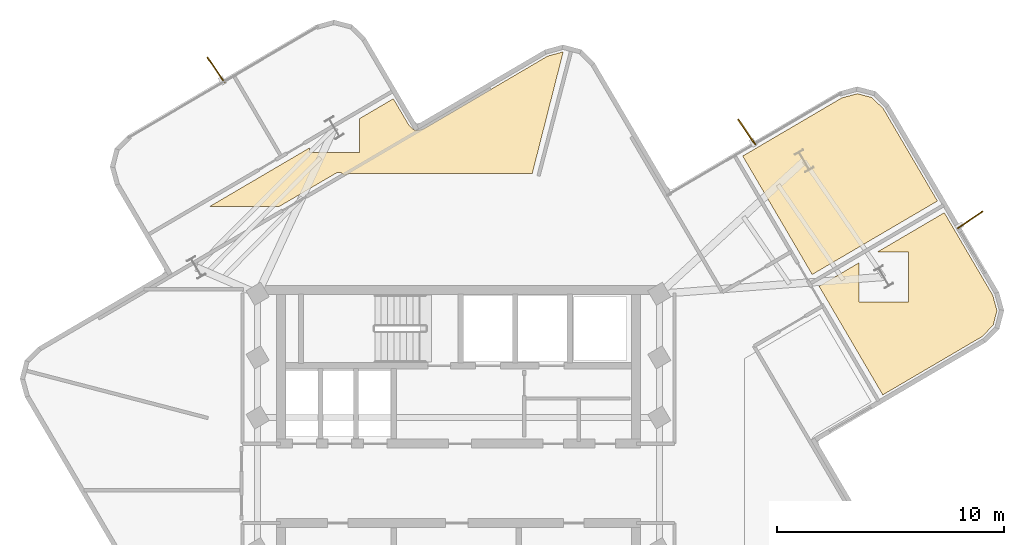
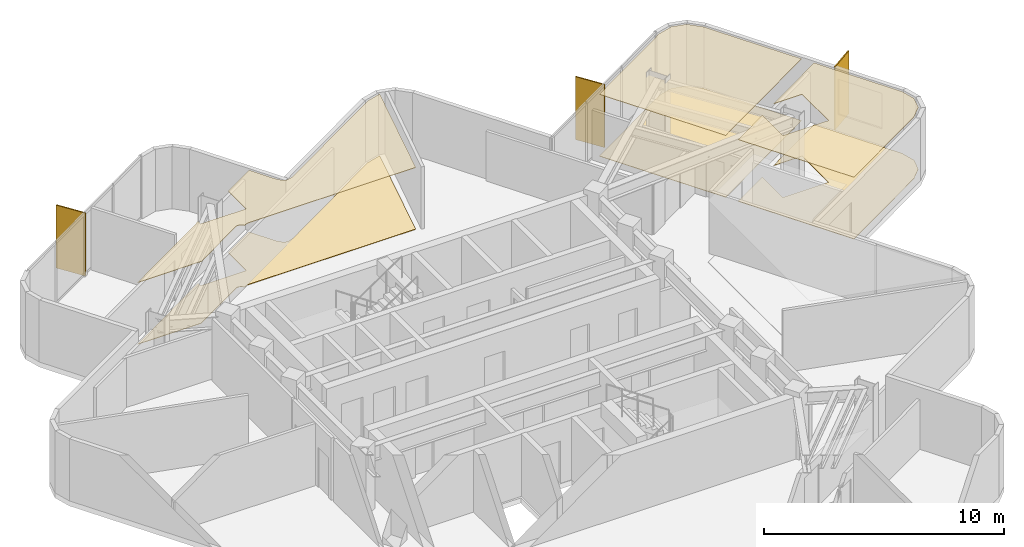
# One storey, part 8 of 8: 6 coverings, 3 shading devices.
"""IFC4 building model written with IfcOpenShell, lengths in metres."""

import ifcopenshell
import ifcopenshell.guid

model = None  # the IFC model being written
_history = None  # IfcOwnerHistory: only IFC2X3 demands one
_inside = {}  # id of a spatial element -> (the spatial element, [elements in it])
_under = {}  # id of a project, library or spatial element -> (it, [spatial elements below it])
_declared = {}  # id of a project -> (the project, [libraries it declares])
_typed = {}  # id of a type object -> (the type object, [elements of that type])
_made_of = {}  # id of a material, layer set ... -> (it, [elements and type objects made of it])


def new_model(schema):
    """Start an empty IFC model of exactly this schema.

    Asked for "IFC4X3", IfcOpenShell would pick the latest addendum, in which some entities
    have other attributes; the version numbers below select the first issue.
    IFC2X3 requires an IfcOwnerHistory on every rooted entity: one is made here for all.
    """
    global model, _history
    if schema == "IFC4X3":
        model = ifcopenshell.file(schema_version=(4, 3, 0, 0))
    else:
        model = ifcopenshell.file(schema=schema)
    _inside.clear()
    _under.clear()
    _declared.clear()
    _typed.clear()
    _made_of.clear()
    _history = None
    if model.schema == "IFC2X3":
        org = make("IfcOrganization", Name="unknown")
        user = make(
            "IfcPersonAndOrganization",
            ThePerson=make("IfcPerson", FamilyName="unknown"),
            TheOrganization=org,
        )
        app = make(
            "IfcApplication",
            ApplicationDeveloper=org,
            Version="unknown",
            ApplicationFullName="unknown",
            ApplicationIdentifier="unknown",
        )
        _history = make(
            "IfcOwnerHistory",
            OwningUser=user,
            OwningApplication=app,
            ChangeAction="ADDED",
            CreationDate=0,
        )
    return model


def make(cls, **values):
    """One entity of the class cls with the attributes given. An attribute that is None is left unset."""
    return model.create_entity(
        cls, **{name: value for name, value in values.items() if value is not None}
    )


def rooted(cls, **values):
    """An entity with a GlobalId (a new one), such as an element, a storey or a relation."""
    return make(cls, GlobalId=ifcopenshell.guid.new(), OwnerHistory=_history, **values)


def si_unit(unit_type, name, prefix=None):
    """IfcSIUnit, for example si_unit("LENGTHUNIT", "METRE", prefix="MILLI")."""
    return make("IfcSIUnit", UnitType=unit_type, Prefix=prefix, Name=name)


def assignment(units):
    """IfcUnitAssignment: the units of a project."""
    return None if units is None else make("IfcUnitAssignment", Units=units)


def point(xyz):
    """IfcCartesianPoint."""
    return None if xyz is None else make("IfcCartesianPoint", Coordinates=xyz)


def direction(xyz):
    """IfcDirection."""
    return None if xyz is None else make("IfcDirection", DirectionRatios=xyz)


def frame(location, z_axis=None, x_axis=None):
    """IfcAxis2Placement3D, a coordinate frame: its origin and axes. An axis left out is left unset."""
    return make(
        "IfcAxis2Placement3D",
        Location=point(location),
        Axis=direction(z_axis),
        RefDirection=direction(x_axis),
    )


def frame_2d(location, x_axis=None):
    """IfcAxis2Placement2D, a coordinate frame in the plane: its origin and x axis."""
    return make(
        "IfcAxis2Placement2D", Location=point(location), RefDirection=direction(x_axis)
    )


def origin():
    """The frame at (0, 0, 0) with its axes left unset."""
    return frame((0.0, 0.0, 0.0))


def origin_2d():
    """The frame at (0, 0) in the plane with its x axis left unset."""
    return frame_2d((0.0, 0.0))


def place(relative_to, where):
    """IfcLocalPlacement: puts the frame where relative to a parent placement (None: the world)."""
    return make(
        "IfcLocalPlacement", PlacementRelTo=relative_to, RelativePlacement=where
    )


def context(
    kind, dimensions, precision=None, world=None, true_north=None, identifier=None
):
    """IfcGeometricRepresentationContext, for example the 3D "Model" context."""
    return make(
        "IfcGeometricRepresentationContext",
        ContextIdentifier=identifier,
        ContextType=kind,
        CoordinateSpaceDimension=dimensions,
        Precision=precision,
        WorldCoordinateSystem=world,
        TrueNorth=true_north,
    )


def subcontext(parent, identifier, kind, view, scale=None):
    """IfcGeometricRepresentationSubContext, for example "Body" below "Model"."""
    return make(
        "IfcGeometricRepresentationSubContext",
        ContextIdentifier=identifier,
        ContextType=kind,
        ParentContext=parent,
        TargetScale=scale,
        TargetView=view,
    )


def project(units=None, contexts=None):
    """IfcProject with its units and contexts."""
    return rooted(
        "IfcProject",
        Name="project",
        RepresentationContexts=contexts,
        UnitsInContext=assignment(units),
    )


def spatial(cls, under=None, at=None, **own):
    """A site, building, storey or space (cls), placed at a placement, below another one or the project."""
    s = rooted(cls, ObjectPlacement=at, **own)
    if under is not None:
        _under.setdefault(under.id(), (under, []))[1].append(s)
    return s


def polyline(points):
    """IfcPolyline through the points."""
    return make("IfcPolyline", Points=[point(p) for p in points])


def profile(cls, at=None, kind="AREA", **sizes):
    """A parametric profile (cls). Its sizes go by their IFC names, for example OverallWidth=200.0."""
    return make(cls, ProfileType=kind, Position=at, **sizes)


def rectangle(**sizes):
    """IfcRectangleProfileDef."""
    return profile("IfcRectangleProfileDef", **sizes)


def outline(outer, holes=None, kind="AREA"):
    """IfcArbitraryClosedProfileDef: a profile drawn as a closed curve; with holes, ...WithVoids."""
    if holes is None:
        return make("IfcArbitraryClosedProfileDef", ProfileType=kind, OuterCurve=outer)
    return make(
        "IfcArbitraryProfileDefWithVoids",
        ProfileType=kind,
        OuterCurve=outer,
        InnerCurves=holes,
    )


def extrude(swept, where, along, depth):
    """IfcExtrudedAreaSolid: the profile swept, set in the frame where, extruded along a direction by depth."""
    return make(
        "IfcExtrudedAreaSolid",
        SweptArea=swept,
        Position=where,
        ExtrudedDirection=direction(along),
        Depth=depth,
    )


def shape(context_of_items, identifier, shape_type, items):
    """IfcShapeRepresentation: the items that make up one representation, for example the "Body"."""
    return make(
        "IfcShapeRepresentation",
        ContextOfItems=context_of_items,
        RepresentationIdentifier=identifier,
        RepresentationType=shape_type,
        Items=items,
    )


def material(Name=None, Category=None):
    """IfcMaterial."""
    return make("IfcMaterial", Name=Name, Category=Category)


def layer(
    of_material, thickness, ventilated=None, Name=None, Category=None, Priority=None
):
    """IfcMaterialLayer: one layer of a wall or slab, of a material (None: an air gap)."""
    return make(
        "IfcMaterialLayer",
        Material=of_material,
        LayerThickness=thickness,
        IsVentilated=ventilated,
        Name=Name,
        Category=Category,
        Priority=Priority,
    )


def layer_set(layers, Name=None):
    """IfcMaterialLayerSet."""
    return make("IfcMaterialLayerSet", MaterialLayers=layers, LayerSetName=Name)


def made_of(thing, what):
    """Note that an element or type object is made of a material, layer set ...; save() writes the relation."""
    if what is not None:
        _made_of.setdefault(what.id(), (what, []))[1].append(thing)
    return thing


def type_object(cls, material=None, **own):
    """A type object (cls), such as IfcWallType, which elements share."""
    return made_of(rooted(cls, **own), material)


def element(
    cls,
    number,
    at=None,
    inside=None,
    cuts=None,
    type_object=None,
    material=None,
    context=None,
    identifier="Body",
    shape_type=None,
    held_by="IfcProductDefinitionShape",
    body=None,
    shapes=None,
    **own,
):
    """One element of the class cls, such as IfcWall. Its Tag is "e" and its number.

    at: its placement. inside: the storey or other place that contains it. cuts: it is an
    opening in that element (IfcRelVoidsElement). A single representation is given by context,
    identifier, shape_type and body (its items); several are given by shapes. held_by: the class
    of the entity that holds the representations. save() writes the other relations.
    """
    e = rooted(cls, Tag="e%d" % number, ObjectPlacement=at, **own)
    if body is not None:
        shapes = [shape(context, identifier, shape_type, body)]
    if shapes is not None:
        e.Representation = make(held_by, Representations=shapes)
    if inside is not None:
        _inside.setdefault(inside.id(), (inside, []))[1].append(e)
    if cuts is not None:
        rooted(
            "IfcRelVoidsElement", RelatingBuildingElement=cuts, RelatedOpeningElement=e
        )
    if type_object is not None:
        _typed.setdefault(type_object.id(), (type_object, []))[1].append(e)
    return made_of(e, material)


def aggregate(whole, parts):
    """IfcRelAggregates: a whole, such as a stair, and the parts it consists of."""
    return rooted("IfcRelAggregates", RelatingObject=whole, RelatedObjects=parts)


def save(model, path):
    """Write the relations noted so far, then the file.

    IfcRelAggregates (storeys below a building ...), IfcRelContainedInSpatialStructure (elements
    in a storey), IfcRelDefinesByType, IfcRelAssociatesMaterial and IfcRelDeclares: one each for
    every whole, place, type object, material and project.
    """
    for whole, parts in _under.values():
        aggregate(whole, parts)
    for where, things in _inside.values():
        rooted(
            "IfcRelContainedInSpatialStructure",
            RelatedElements=things,
            RelatingStructure=where,
        )
    for kind, things in _typed.values():
        rooted("IfcRelDefinesByType", RelatedObjects=things, RelatingType=kind)
    for what, things in _made_of.values():
        rooted("IfcRelAssociatesMaterial", RelatedObjects=things, RelatingMaterial=what)
    for by, libraries in _declared.values():
        rooted("IfcRelDeclares", RelatingContext=by, RelatedDefinitions=libraries)
    model.write(path)


model = new_model("IFC4")

# Units and contexts
model_context = context("Model", 3, precision=1e-05, world=origin(), true_north=direction((0.0, 1.0)))
body_context = subcontext(model_context, "Body", "Model", "MODEL_VIEW")
ifc_project = project(units=[si_unit("LENGTHUNIT", "METRE"), si_unit("AREAUNIT", "SQUARE_METRE"), si_unit("VOLUMEUNIT", "CUBIC_METRE"), si_unit("PLANEANGLEUNIT", "RADIAN"), si_unit("MASSUNIT", "GRAM", prefix="KILO")], contexts=[model_context])

# Site, building, storey
site_placement = place(None, origin())
site = spatial("IfcSite", under=ifc_project, at=site_placement, CompositionType="ELEMENT")
building_placement = place(site_placement, origin())
building = spatial("IfcBuilding", under=site, at=building_placement, Name="Solmarez Civic Tower", CompositionType="ELEMENT")
storey_placement = place(building_placement, frame((0.0, 0.0, 212.0400390625)))
storey = spatial("IfcBuildingStorey", under=building, at=storey_placement, Name="L56", CompositionType="ELEMENT", Elevation=212.0400390625)

# Coverings
ifc_material_1 = material(Name="Perforated Mineral-Fibre Acoustic Ceiling")
ifc_layer_1 = layer(ifc_material_1, 0.02490234375)
ifc_layer_set_1 = layer_set([ifc_layer_1], Name="Perforated Mineral-Fibre Acoustic Ceiling")
covering_type_1 = type_object("IfcCoveringType", Name="COV-CEIL-ACOUSTIC", PredefinedType="CEILING", material=ifc_layer_set_1)
covering_1_placement = place(storey_placement, frame((0.0, 0.0, 3.135009765625)))
element("IfcCovering", 1, at=covering_1_placement, inside=storey, type_object=covering_type_1, Name="L56 Suspended Acoustic Ceiling 1", PredefinedType="CEILING", context=body_context, shape_type="SweptSolid", body=[
    extrude(outline(polyline([(-10.9619140625, 12.199951171875), (-7.89794921875, 12.199951171875), (-5.402099609375, 13.6640625), (-5.3798828125, 13.675048828125), (-5.37109375, 13.678955078125), (-5.34912109375, 13.68798828125), (-5.324951171875, 13.694091796875), (-5.320068359375, 13.695068359375), (-5.299072265625, 13.697998046875), (-5.277099609375, 13.698974609375), (-5.26708984375, 13.698974609375), (-5.2451171875, 13.697998046875), (-5.22412109375, 13.695068359375), (-5.218994140625, 13.694091796875), (-5.214111328125, 13.693115234375), (-5.205078125, 13.69091796875), (-5.18798828125, 13.68603515625), (-5.1708984375, 13.679931640625), (-5.166015625, 13.677978515625), (-5.14794921875, 13.669921875), (-5.131103515625, 13.660888671875), (-5.123046875, 13.656005859375), (-5.10302734375, 13.64111328125), (-5.083984375, 13.625), (-5.076904296875, 13.617919921875), (-5.056884765625, 13.593994140625), (-5.051025390625, 13.5859375), (-5.0390625, 13.568115234375), (-4.85107421875, 13.635986328125), (-4.844970703125, 13.637939453125), (-4.818115234375, 13.64501953125), (-4.81298828125, 13.64599609375), (-4.7919921875, 13.64892578125), (-4.77001953125, 13.64990234375), (3.2490234375, 13.64990234375), (4.614013671875, 19.010986328125), (4.60791015625, 19.011962890625), (3.924072265625, 18.823974609375), (-1.510009765625, 15.635986328125), (-1.52294921875, 15.62890625), (-1.534912109375, 15.623046875), (-1.552978515625, 15.614990234375), (-1.572998046875, 15.60791015625), (-1.5810546875, 15.60595703125), (-1.74609375, 15.56005859375), (-1.7529296875, 15.55810546875), (-1.76904296875, 15.553955078125), (-1.785888671875, 15.552001953125), (-1.7939453125, 15.551025390625), (-1.821044921875, 15.549072265625), (-1.827880859375, 15.549072265625), (-1.85498046875, 15.551025390625), (-1.866943359375, 15.552001953125), (-1.8740234375, 15.552978515625), (-1.89599609375, 15.55810546875), (-1.904052734375, 15.56005859375), (-1.910888671875, 15.56103515625), (-1.91796875, 15.56298828125), (-1.943115234375, 15.572021484375), (-1.967041015625, 15.583984375), (-1.97412109375, 15.587890625), (-1.987060546875, 15.595947265625), (-1.992919921875, 15.60009765625), (-1.9990234375, 15.60400390625), (-2.01806640625, 15.617919921875), (-2.02392578125, 15.623046875), (-2.0380859375, 15.635986328125), (-2.160888671875, 15.757080078125), (-2.166015625, 15.761962890625), (-2.178955078125, 15.777099609375), (-2.18408203125, 15.782958984375), (-2.194091796875, 15.797119140625), (-2.2041015625, 15.81103515625), (-2.2080078125, 15.818115234375), (-2.8701171875, 16.947021484375), (-4.367919921875, 16.068115234375), (-4.367919921875, 14.571044921875), (-6.568115234375, 14.571044921875), (-6.568115234375, 14.778076171875), (-10.9619140625, 12.199951171875)])), origin(), (0.0, 0.0, 1.0), 0.02490234375),
])
covering_2_placement = place(storey_placement, frame((0.0, 0.0, 3.135009765625)))
element("IfcCovering", 2, at=covering_2_placement, inside=storey, type_object=covering_type_1, Name="L56 Suspended Acoustic Ceiling 4", PredefinedType="CEILING", context=body_context, shape_type="SweptSolid", body=[
    extrude(outline(polyline([(21.10595703125, 12.44091796875), (18.722900390625, 16.50390625), (18.218994140625, 17.0009765625), (17.572998046875, 17.1689453125), (16.888916015625, 16.98193359375), (12.52490234375, 14.4208984375), (15.5859375, 9.201904296875), (21.10595703125, 12.44091796875)])), origin(), (0.0, 0.0, 1.0), 0.02490234375),
])
covering_3_placement = place(storey_placement, frame((0.0, 0.0, 3.135009765625)))
element("IfcCovering", 3, at=covering_3_placement, inside=storey, type_object=covering_type_1, Name="L56 Suspended Acoustic Ceiling 5", PredefinedType="CEILING", context=body_context, shape_type="SweptSolid", body=[
    extrude(outline(polyline([(18.697998046875, 3.89794921875), (23.06298828125, 6.458984375), (23.56005859375, 6.962890625), (23.72802734375, 7.60888671875), (23.541015625, 8.2919921875), (21.409912109375, 11.924072265625), (18.467041015625, 10.197021484375), (19.841064453125, 10.197021484375), (19.841064453125, 7.9970703125), (17.64111328125, 7.9970703125), (17.64111328125, 9.7119140625), (15.889892578125, 8.68505859375), (18.697998046875, 3.89794921875)])), origin(), (0.0, 0.0, 1.0), 0.02490234375),
])
ifc_material_2 = material(Name="Polished Tropical Stone Terrazzo Flooring", Category="masonry")
ifc_layer_2 = layer(ifc_material_2, 0.02001953125)
ifc_layer_set_2 = layer_set([ifc_layer_2], Name="Polished Tropical Stone Terrazzo Flooring")
covering_type_2 = type_object("IfcCoveringType", Name="COV-FLOOR-TERRAZZO", PredefinedType="FLOORING", material=ifc_layer_set_2)
covering_4_placement = place(storey_placement, origin())
element("IfcCovering", 4, at=covering_4_placement, inside=storey, type_object=covering_type_2, Name="L56 Terrazzo Floor Finish 1", PredefinedType="FLOORING", context=body_context, shape_type="SweptSolid", body=[
    extrude(outline(polyline([(-10.9619140625, 12.199951171875), (-7.89794921875, 12.199951171875), (-5.402099609375, 13.6640625), (-5.3798828125, 13.675048828125), (-5.37109375, 13.678955078125), (-5.34912109375, 13.68798828125), (-5.324951171875, 13.694091796875), (-5.320068359375, 13.695068359375), (-5.299072265625, 13.697998046875), (-5.277099609375, 13.698974609375), (-5.26708984375, 13.698974609375), (-5.2451171875, 13.697998046875), (-5.22412109375, 13.695068359375), (-5.218994140625, 13.694091796875), (-5.214111328125, 13.693115234375), (-5.205078125, 13.69091796875), (-5.18798828125, 13.68603515625), (-5.1708984375, 13.679931640625), (-5.166015625, 13.677978515625), (-5.14794921875, 13.669921875), (-5.131103515625, 13.660888671875), (-5.123046875, 13.656005859375), (-5.10302734375, 13.64111328125), (-5.083984375, 13.625), (-5.076904296875, 13.617919921875), (-5.056884765625, 13.593994140625), (-5.051025390625, 13.5859375), (-5.0390625, 13.568115234375), (-4.85107421875, 13.635986328125), (-4.844970703125, 13.637939453125), (-4.818115234375, 13.64501953125), (-4.81298828125, 13.64599609375), (-4.7919921875, 13.64892578125), (-4.77001953125, 13.64990234375), (3.2490234375, 13.64990234375), (4.614013671875, 19.010986328125), (4.60791015625, 19.011962890625), (3.924072265625, 18.823974609375), (-1.510009765625, 15.635986328125), (-1.52294921875, 15.62890625), (-1.534912109375, 15.623046875), (-1.552978515625, 15.614990234375), (-1.572998046875, 15.60791015625), (-1.5810546875, 15.60595703125), (-1.74609375, 15.56005859375), (-1.7529296875, 15.55810546875), (-1.76904296875, 15.553955078125), (-1.785888671875, 15.552001953125), (-1.7939453125, 15.551025390625), (-1.821044921875, 15.549072265625), (-1.827880859375, 15.549072265625), (-1.85498046875, 15.551025390625), (-1.866943359375, 15.552001953125), (-1.8740234375, 15.552978515625), (-1.89599609375, 15.55810546875), (-1.904052734375, 15.56005859375), (-1.910888671875, 15.56103515625), (-1.91796875, 15.56298828125), (-1.943115234375, 15.572021484375), (-1.967041015625, 15.583984375), (-1.97412109375, 15.587890625), (-1.987060546875, 15.595947265625), (-1.992919921875, 15.60009765625), (-1.9990234375, 15.60400390625), (-2.01806640625, 15.617919921875), (-2.02392578125, 15.623046875), (-2.0380859375, 15.635986328125), (-2.160888671875, 15.757080078125), (-2.166015625, 15.761962890625), (-2.178955078125, 15.777099609375), (-2.18408203125, 15.782958984375), (-2.194091796875, 15.797119140625), (-2.2041015625, 15.81103515625), (-2.2080078125, 15.818115234375), (-2.8701171875, 16.947021484375), (-4.367919921875, 16.068115234375), (-4.367919921875, 14.571044921875), (-6.568115234375, 14.571044921875), (-6.568115234375, 14.778076171875), (-10.9619140625, 12.199951171875)])), origin(), (0.0, 0.0, 1.0), 0.02001953125),
])
covering_5_placement = place(storey_placement, origin())
element("IfcCovering", 5, at=covering_5_placement, inside=storey, type_object=covering_type_2, Name="L56 Terrazzo Floor Finish 4", PredefinedType="FLOORING", context=body_context, shape_type="SweptSolid", body=[
    extrude(outline(polyline([(21.10595703125, 12.44091796875), (18.722900390625, 16.50390625), (18.218994140625, 17.0009765625), (17.572998046875, 17.1689453125), (16.888916015625, 16.98193359375), (12.52490234375, 14.4208984375), (15.5859375, 9.201904296875), (21.10595703125, 12.44091796875)])), origin(), (0.0, 0.0, 1.0), 0.02001953125),
])
covering_6_placement = place(storey_placement, origin())
element("IfcCovering", 6, at=covering_6_placement, inside=storey, type_object=covering_type_2, Name="L56 Terrazzo Floor Finish 5", PredefinedType="FLOORING", context=body_context, shape_type="SweptSolid", body=[
    extrude(outline(polyline([(18.697998046875, 3.89794921875), (23.06298828125, 6.458984375), (23.56005859375, 6.962890625), (23.72802734375, 7.60888671875), (23.541015625, 8.2919921875), (21.409912109375, 11.924072265625), (18.467041015625, 10.197021484375), (19.841064453125, 10.197021484375), (19.841064453125, 7.9970703125), (17.64111328125, 7.9970703125), (17.64111328125, 9.7119140625), (15.889892578125, 8.68505859375), (18.697998046875, 3.89794921875)])), origin(), (0.0, 0.0, 1.0), 0.02001953125),
])

# Shading devices
ifc_material_3 = material(Name="Bronze Anodised Aluminium EN AW-6063 T6", Category="aluminium")
ifc_layer_3 = layer(ifc_material_3, 0.054931640625)
ifc_layer_set_3 = layer_set([ifc_layer_3], Name="Bronze Anodised Aluminium EN AW-6063 T6")
shading_device_type = type_object("IfcShadingDeviceType", Name="FIN-BRONZE-Z56", PredefinedType="USERDEFINED", material=ifc_layer_set_3)
for number, where, z_axis, x_axis, name in (
    (7, (-10.68994140625, 18.220947265625, -0.0400390625), (0.0, 0.0, 1.0), (-0.562848207062, 0.826560279597, 0.0), "L56 Anodised Bronze Solar Fin FIN-L56-02"),
    (8, (12.702880859375, 15.48291015625, -0.0400390625), (0.0, 0.0, 1.0), (-0.562689508508, 0.826668323462, 0.0), "L56 Anodised Bronze Solar Fin FIN-L56-03"),
    (9, (22.549072265625, 11.612060546875, -0.0400390625), (0.0, 0.0, 1.0), (0.826638859975, 0.562732791989, 0.0), "L56 Anodised Bronze Solar Fin FIN-L56-04"),
):
    element("IfcShadingDevice", number, at=place(storey_placement, frame(where, z_axis=z_axis, x_axis=x_axis)), inside=storey, type_object=shading_device_type, Name=name, ObjectType="FIN", PredefinedType="USERDEFINED", context=body_context, shape_type="SweptSolid", body=[
        extrude(rectangle(XDim=1.35009765625, YDim=0.054931640625, at=origin_2d()), origin(), (0.0, 0.0, 1.0), 3.199951171875),
    ])

save(model, "model.ifc")
